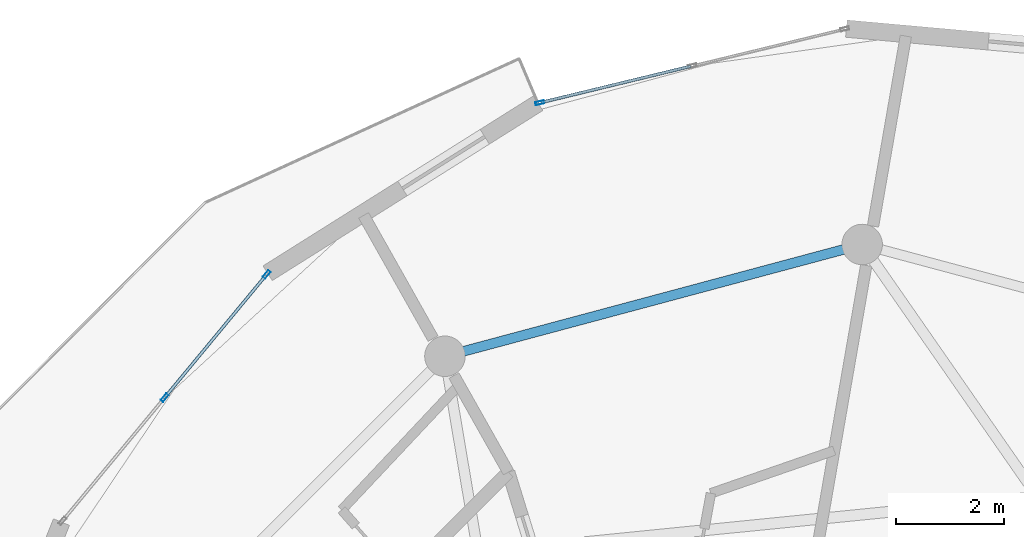
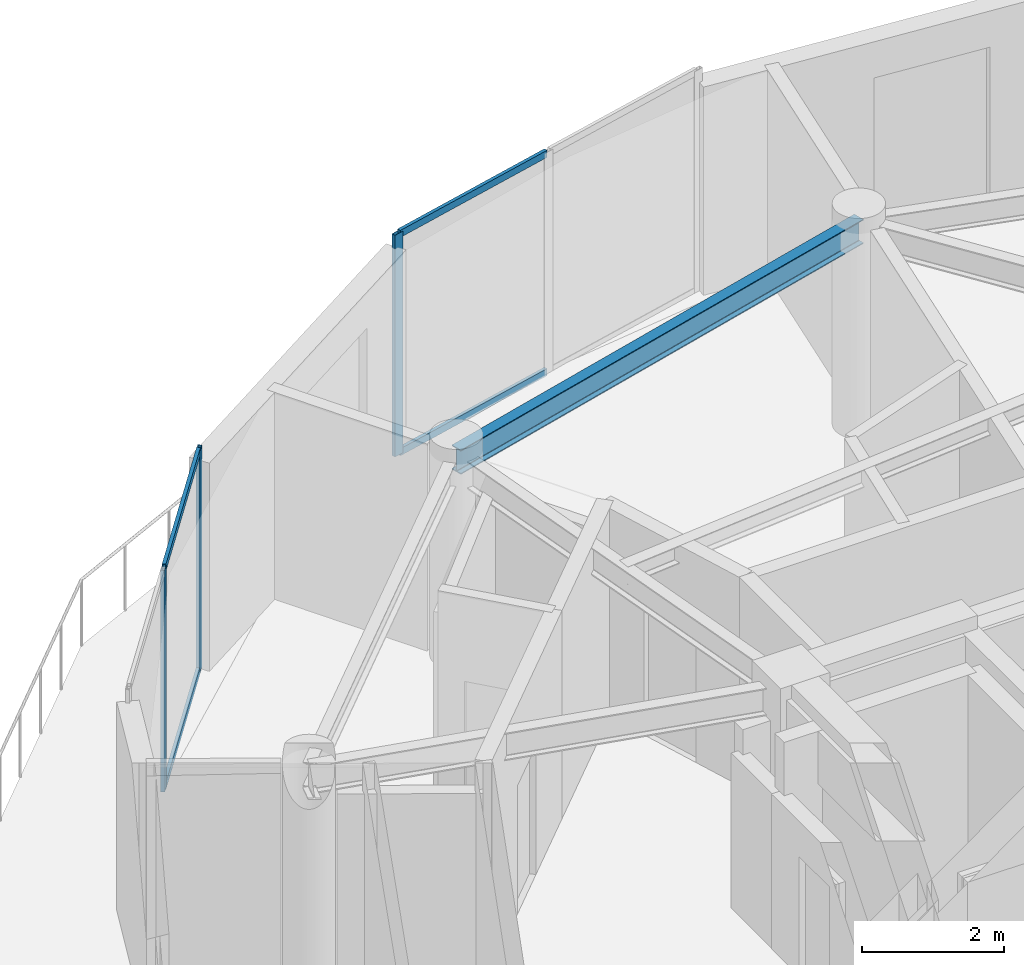
# One storey, part 10 of 19: 7 members, 1 beam, 2 elements without a shape of their own.
"""IFC4 building model written with IfcOpenShell, lengths in metres."""

from ifc_helpers import new_model, si_unit, direction, frame, origin, origin_2d, place, context, subcontext, project, spatial, hollow_rectangle, i_section, extrude, source, transform, mapped, material, layer, layer_set, material_profile, profile_set, type_object, element, aggregate, save


model = new_model("IFC4")

# Units and contexts
model_context = context("Model", 3, precision=1e-05, world=origin(), true_north=direction((0.0, 1.0)))
body_context = subcontext(model_context, "Body", "Model", "MODEL_VIEW")
ifc_project = project(units=[si_unit("LENGTHUNIT", "METRE"), si_unit("AREAUNIT", "SQUARE_METRE"), si_unit("VOLUMEUNIT", "CUBIC_METRE"), si_unit("PLANEANGLEUNIT", "RADIAN"), si_unit("MASSUNIT", "GRAM", prefix="KILO")], contexts=[model_context])

# Site, building, storey
site_placement = place(None, origin())
site = spatial("IfcSite", under=ifc_project, at=site_placement, CompositionType="ELEMENT")
building_placement = place(site_placement, origin())
building = spatial("IfcBuilding", under=site, at=building_placement, Name="Solvirekh Grand Hotel", CompositionType="ELEMENT")
storey_placement = place(building_placement, frame((0.0, 0.0, 266.800048828125)))
storey = spatial("IfcBuildingStorey", under=building, at=storey_placement, Name="L69", CompositionType="ELEMENT", Elevation=266.800048828125)

# Beam
ifc_material_1 = material(Name="Steel S355", Category="steel")
ifc_material_profile_1 = material_profile(ifc_material_1, i_section(OverallWidth=0.180908203125, OverallDepth=0.4169921875, WebThickness=0.010009765625, FlangeThickness=0.01611328125, FilletRadius=0.011962890625, at=origin_2d()), Name="W410X85")
ifc_profile_set_1 = profile_set([ifc_material_profile_1], Name="Steel S355")
beam_type = type_object("IfcBeamType", Name="Spandrel_Ring_W410", PredefinedType="SPANDREL", material=ifc_profile_set_1)
beam_placement = place(storey_placement, frame((0.0, 15.449951171875, 3.36083984375), z_axis=(-0.965921616143, -0.258834757072, 0.0), x_axis=(0.258834757072, -0.965921616143, 0.0)))
element("IfcBeam", 1, at=beam_placement, inside=storey, type_object=beam_type, Name="L69 perimeter spandrel beam 4", PredefinedType="SPANDREL", context=body_context, shape_type="SweptSolid", body=[
    extrude(i_section(OverallWidth=0.180908203125, OverallDepth=0.4169921875, WebThickness=0.010009765625, FlangeThickness=0.01611328125, FilletRadius=0.011962890625, at=origin_2d()), origin(), (0.0, 0.0, 1.0), 7.99755859375),
])

# Curtain wall, member
ifc_material_2 = material(Name="Anodized Bronze Aluminium 6063-T6", Category="aluminium")
ifc_layer = layer(ifc_material_2, 0.159912109375)
ifc_layer_set = layer_set([ifc_layer], Name="Anodized Bronze Aluminium 6063-T6")
curtain_wall_type = type_object("IfcCurtainWallType", Name="CW_Sys4_HighZoneFlushBronzeCW", PredefinedType="NOTDEFINED", material=ifc_layer_set)
curtain_wall_1_placement = place(storey_placement, origin())
curtain_wall_1 = element("IfcCurtainWall", 2, at=curtain_wall_1_placement, inside=storey, type_object=curtain_wall_type, Name="L69 unitised bronze-glass curtain wall CW-L69-C11", PredefinedType="NOTDEFINED")
ifc_material_profile_2 = material_profile(ifc_material_2, hollow_rectangle(XDim=0.06005859375, YDim=0.159912109375, WallThickness=0.0048828125, at=origin_2d()), Name="ALU RHS 160X60X5")
ifc_profile_set_2 = profile_set([ifc_material_profile_2], Name="Anodized Bronze Aluminium 6063-T6")
member_type_1 = type_object("IfcMemberType", Name="CWMullion_Sys4", PredefinedType="MULLION", material=ifc_profile_set_2)
shared_shape_1 = source(origin(), body_context, "Body", "SweptSolid", [
    extrude(hollow_rectangle(XDim=0.06005859375, YDim=0.159912109375, WallThickness=0.0048828125, at=origin_2d()), origin(), (0.0, 0.0, 1.0), 3.800048828125),
])
member_1_placement = place(storey_placement, frame((-5.9697265625, 18.072998046875, 0.0), z_axis=(0.0, 0.0, 1.0), x_axis=(0.235195431247, -0.971948100014, 0.0)))
member_1 = element("IfcMember", 3, at=member_1_placement, type_object=member_type_1, Name="U04 mullion 3", PredefinedType="MULLION", context=body_context, shape_type="MappedRepresentation", body=[
    mapped(shared_shape_1, transform((0.0, 0.0, 0.0), x_axis=(1.0, 0.0, 0.0), y_axis=(0.0, 1.0, 0.0), z_axis=(0.0, 0.0, 1.0), scale=1.0)),
])

# Curtain wall, members
curtain_wall_2_placement = place(storey_placement, origin())
curtain_wall_2 = element("IfcCurtainWall", 4, at=curtain_wall_2_placement, inside=storey, type_object=curtain_wall_type, Name="L69 unitised bronze-glass curtain wall CW-L69-C13", PredefinedType="NOTDEFINED")
member_2_placement = place(storey_placement, frame((-11.026123046875, 14.894775390625, 0.0), z_axis=(0.0, 0.0, 1.0), x_axis=(0.770094261283, -0.637930112739, 0.0)))
member_2 = element("IfcMember", 5, at=member_2_placement, type_object=member_type_1, Name="U04 mullion 1", PredefinedType="MULLION", context=body_context, shape_type="MappedRepresentation", body=[
    mapped(shared_shape_1, transform((0.0, 0.0, 0.0), x_axis=(1.0, 0.0, 0.0), y_axis=(0.0, 1.0, 0.0), z_axis=(0.0, 0.0, 1.0), scale=1.0)),
])
member_3_placement = place(storey_placement, frame((-12.916015625, 12.613525390625, 0.0), z_axis=(0.0, 0.0, 1.0), x_axis=(0.770094261283, -0.637930112739, 0.0)))
member_3 = element("IfcMember", 6, at=member_3_placement, type_object=member_type_1, Name="U04 mullion 2", PredefinedType="MULLION", context=body_context, shape_type="MappedRepresentation", body=[
    mapped(shared_shape_1, transform((0.0, 0.0, 0.0), x_axis=(1.0, 0.0, 0.0), y_axis=(0.0, 1.0, 0.0), z_axis=(0.0, 0.0, 1.0), scale=1.0)),
])

# Member
ifc_material_profile_3 = material_profile(ifc_material_2, hollow_rectangle(XDim=0.054931640625, YDim=0.1201171875, WallThickness=0.00390625, at=origin_2d()), Name="ALU RHS 120X55X4")
ifc_profile_set_3 = profile_set([ifc_material_profile_3], Name="Anodized Bronze Aluminium 6063-T6")
member_type_2 = type_object("IfcMemberType", Name="CWTransom_Sys4", PredefinedType="USERDEFINED", material=ifc_profile_set_3)
shared_shape_2 = source(origin(), body_context, "Body", "SweptSolid", [
    extrude(hollow_rectangle(XDim=0.054931640625, YDim=0.1201171875, WallThickness=0.00390625, at=origin_2d()), origin(), (0.0, 0.0, 1.0), 2.845947265625),
])
member_4_placement = place(storey_placement, frame((-3.174560546875, 18.74951171875, 0.02734375), z_axis=(-0.971941694637, -0.235221899973, 0.0), x_axis=(0.235221899973, -0.971941694637, 0.0)))
member_4 = element("IfcMember", 7, at=member_4_placement, type_object=member_type_2, Name="U04 transom 2.1", ObjectType="TRANSOM", PredefinedType="USERDEFINED", context=body_context, shape_type="MappedRepresentation", body=[
    mapped(shared_shape_2, transform((0.0, 0.0, 0.0), x_axis=(1.0, 0.0, 0.0), y_axis=(0.0, 1.0, 0.0), z_axis=(0.0, 0.0, 1.0), scale=1.0)),
])

member_5_placement = place(storey_placement, frame((-3.174560546875, 18.74951171875, 3.7724609375), z_axis=(-0.971941694637, -0.235221899973, 0.0), x_axis=(0.235221899973, -0.971941694637, 0.0)))
member_5 = element("IfcMember", 8, at=member_5_placement, type_object=member_type_2, Name="U04 transom 2.2", ObjectType="TRANSOM", PredefinedType="USERDEFINED", context=body_context, shape_type="MappedRepresentation", body=[
    mapped(shared_shape_2, transform((0.0, 0.0, 0.0), x_axis=(1.0, 0.0, 0.0), y_axis=(0.0, 1.0, 0.0), z_axis=(0.0, 0.0, 1.0), scale=1.0)),
])

aggregate(curtain_wall_1, [member_1, member_4, member_5])

shared_shape_3 = source(origin(), body_context, "Body", "SweptSolid", [
    extrude(hollow_rectangle(XDim=0.054931640625, YDim=0.1201171875, WallThickness=0.00390625, at=origin_2d()), origin(), (0.0, 0.0, 1.0), 2.902587890625),
])
member_6_placement = place(storey_placement, frame((-11.045166015625, 14.871826171875, 0.02734375), z_axis=(-0.637989365579, -0.770045173615, 0.0), x_axis=(0.770045173615, -0.637989365579, 0.0)))
member_6 = element("IfcMember", 9, at=member_6_placement, type_object=member_type_2, Name="U04 transom 1.1", ObjectType="TRANSOM", PredefinedType="USERDEFINED", context=body_context, shape_type="MappedRepresentation", body=[
    mapped(shared_shape_3, transform((0.0, 0.0, 0.0), x_axis=(1.0, 0.0, 0.0), y_axis=(0.0, 1.0, 0.0), z_axis=(0.0, 0.0, 1.0), scale=1.0)),
])

member_7_placement = place(storey_placement, frame((-11.045166015625, 14.871826171875, 3.7724609375), z_axis=(-0.637989365579, -0.770045173615, 0.0), x_axis=(0.770045173615, -0.637989365579, 0.0)))
member_7 = element("IfcMember", 10, at=member_7_placement, type_object=member_type_2, Name="U04 transom 1.2", ObjectType="TRANSOM", PredefinedType="USERDEFINED", context=body_context, shape_type="MappedRepresentation", body=[
    mapped(shared_shape_3, transform((0.0, 0.0, 0.0), x_axis=(1.0, 0.0, 0.0), y_axis=(0.0, 1.0, 0.0), z_axis=(0.0, 0.0, 1.0), scale=1.0)),
])

aggregate(curtain_wall_2, [member_2, member_3, member_6, member_7])

save(model, "model.ifc")
